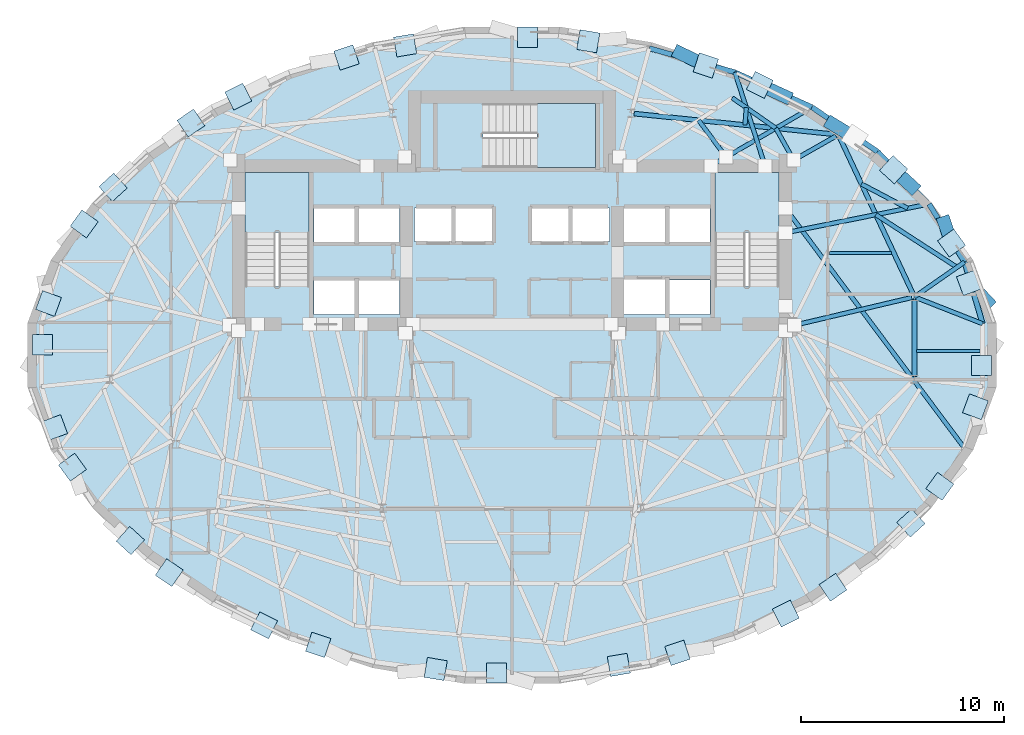
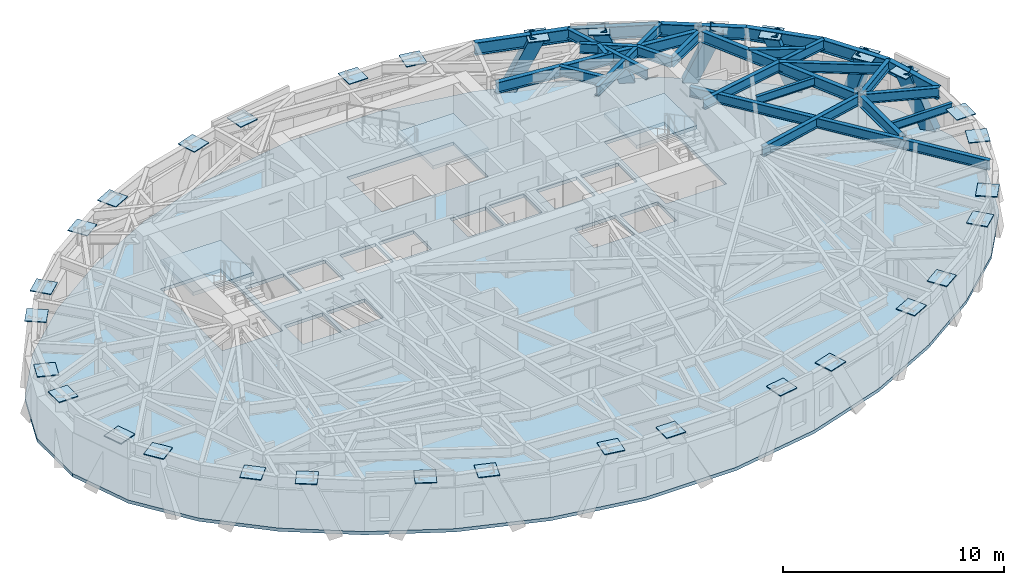
# One storey, part 4 of 12: 31 plates, 25 beams, 6 members, 4 slabs, 3 elements without a shape of their own.
"""IFC4 building model written with IfcOpenShell, lengths in metres."""

from ifc_helpers import new_model, si_unit, direction, frame, origin, origin_2d, place, context, subcontext, project, spatial, polyline, rectangle, hollow_rectangle, i_section, outline, extrude, material, layer, layer_set, material_profile, profile_set, type_object, element, aggregate, save


model = new_model("IFC4")

# Units and contexts
model_context = context("Model", 3, precision=1e-05, world=origin(), true_north=direction((0.0, 1.0)))
body_context = subcontext(model_context, "Body", "Model", "MODEL_VIEW")
ifc_project = project(units=[si_unit("LENGTHUNIT", "METRE"), si_unit("AREAUNIT", "SQUARE_METRE"), si_unit("VOLUMEUNIT", "CUBIC_METRE"), si_unit("PLANEANGLEUNIT", "RADIAN"), si_unit("MASSUNIT", "GRAM", prefix="KILO")], contexts=[model_context])

# Site, building, storey
site_placement = place(None, origin())
site = spatial("IfcSite", under=ifc_project, at=site_placement, CompositionType="ELEMENT")
building_placement = place(site_placement, origin())
building = spatial("IfcBuilding", under=site, at=building_placement, Name="Keldmark Tower", CompositionType="ELEMENT")
storey_placement = place(building_placement, frame((0.0, 0.0, 198.199951171875)))
storey = spatial("IfcBuildingStorey", under=building, at=storey_placement, Name="L55", CompositionType="ELEMENT", Elevation=198.199951171875)

# Beams
ifc_material_1 = material(Name="Steel ASTM A992 Grade 50", Category="steel")
ifc_material_profile_1 = material_profile(ifc_material_1, i_section(OverallWidth=0.153076171875, OverallDepth=0.455078125, WebThickness=0.008056640625, FlangeThickness=0.01318359375, at=origin_2d()), Name="W18X40")
ifc_profile_set_1 = profile_set([ifc_material_profile_1], Name="Steel ASTM A992 Grade 50")
beam_type_1 = type_object("IfcBeamType", Name="Composite Floor Joist W18X40", PredefinedType="JOIST", material=ifc_profile_set_1)
beam_1_placement = place(storey_placement, frame((19.933837890625, 0.199951171875, 2.732666015625), z_axis=(1.0, 0.0, 0.0), x_axis=(0.0, 1.0, 0.0)))
element("IfcBeam", 1, at=beam_1_placement, inside=storey, type_object=beam_type_1, Name="L55 Composite Floor Joist J08", PredefinedType="JOIST", context=body_context, shape_type="SweptSolid", body=[
    extrude(i_section(OverallWidth=0.153076171875, OverallDepth=0.455078125, WebThickness=0.008056640625, FlangeThickness=0.01318359375, at=origin_2d()), origin(), (0.0, 0.0, 1.0), 3.135009765625),
])
beam_2_placement = place(storey_placement, frame((15.6494140625, 5.0400390625, 2.732666015625), z_axis=(1.0, 0.0, 0.0), x_axis=(0.0, 1.0, 0.0)))
element("IfcBeam", 2, at=beam_2_placement, inside=storey, type_object=beam_type_1, Name="L55 Composite Floor Joist J10", PredefinedType="JOIST", context=body_context, shape_type="SweptSolid", body=[
    extrude(i_section(OverallWidth=0.153076171875, OverallDepth=0.455078125, WebThickness=0.008056640625, FlangeThickness=0.01318359375, at=origin_2d()), origin(), (0.0, 0.0, 1.0), 3.044189453125),
])

# Members
ifc_material_2 = material(Name="Steel ASTM A572 Grade 50", Category="steel")
ifc_material_profile_2 = material_profile(ifc_material_2, hollow_rectangle(XDim=0.64990234375, YDim=0.64990234375, WallThickness=0.0400390625, at=origin_2d()), Name="BOX650X650X40")
ifc_profile_set_2 = profile_set([ifc_material_profile_2], Name="Steel ASTM A572 Grade 50")
member_type = type_object("IfcMemberType", Name="Diagrid Zone 3 Brace BOX650X650X40", PredefinedType="BRACE", material=ifc_profile_set_2)
member_1_placement = place(storey_placement, frame((23.425048828125, 2.6142578125, -0.260009765625), z_axis=(-0.264919918302, 0.283573183783, 0.921630992494), x_axis=(-0.730731768361, -0.682664692736, 0.0)))
element("IfcMember", 3, at=member_1_placement, inside=storey, type_object=member_type, Name="L55 Perimeter Diagrid Brace 01A", PredefinedType="BRACE", context=body_context, shape_type="SweptSolid", body=[
    extrude(hollow_rectangle(XDim=0.64990234375, YDim=0.64990234375, WallThickness=0.0400390625, at=origin_2d()), origin(), (0.0, 0.0, 1.0), 3.36376953125),
])
member_2_placement = place(storey_placement, frame((21.306396484375, 6.537109375, -0.260009765625), z_axis=(0.106794323637, -0.309145380062, 0.944999527209), x_axis=(0.945191482252, 0.32651655682, 0.0)))
element("IfcMember", 4, at=member_2_placement, inside=storey, type_object=member_type, Name="L55 Perimeter Diagrid Brace 01B", PredefinedType="BRACE", context=body_context, shape_type="SweptSolid", body=[
    extrude(hollow_rectangle(XDim=0.64990234375, YDim=0.64990234375, WallThickness=0.0400390625, at=origin_2d()), origin(), (0.0, 0.0, 1.0), 3.280517578125),
])
member_3_placement = place(storey_placement, frame((19.718994140625, 8.29736328125, -0.260009765625), z_axis=(-0.273935232909, 0.251344897449, 0.928323882434), x_axis=(-0.67607183927, -0.736835713131, 0.0)))
element("IfcMember", 5, at=member_3_placement, inside=storey, type_object=member_type, Name="L55 Perimeter Diagrid Brace 02A", PredefinedType="BRACE", context=body_context, shape_type="SweptSolid", body=[
    extrude(hollow_rectangle(XDim=0.64990234375, YDim=0.64990234375, WallThickness=0.0400390625, at=origin_2d()), origin(), (0.0, 0.0, 1.0), 3.33935546875),
])
member_4_placement = place(storey_placement, frame((15.75732421875, 11.40380859375, -0.260009765625), z_axis=(0.335469878195, -0.204236842943, 0.919645188542), x_axis=(0.520017145547, 0.854155822047, 0.0)))
element("IfcMember", 6, at=member_4_placement, inside=storey, type_object=member_type, Name="L55 Perimeter Diagrid Brace 02B", PredefinedType="BRACE", context=body_context, shape_type="SweptSolid", body=[
    extrude(hollow_rectangle(XDim=0.64990234375, YDim=0.64990234375, WallThickness=0.0400390625, at=origin_2d()), origin(), (0.0, 0.0, 1.0), 3.370849609375),
])
member_5_placement = place(storey_placement, frame((13.467529296875, 12.740478515625, -0.260009765625), z_axis=(-0.370117613048, 0.169124685768, 0.913460340231), x_axis=(-0.41561353109, -0.909541308999, 0.0)))
element("IfcMember", 7, at=member_5_placement, inside=storey, type_object=member_type, Name="L55 Perimeter Diagrid Brace 03A", PredefinedType="BRACE", context=body_context, shape_type="SweptSolid", body=[
    extrude(hollow_rectangle(XDim=0.64990234375, YDim=0.64990234375, WallThickness=0.0400390625, at=origin_2d()), origin(), (0.0, 0.0, 1.0), 3.393798828125),
])
member_6_placement = place(storey_placement, frame((8.252685546875, 14.892578125, -0.260009765625), z_axis=(0.379356211137, -0.180315697192, 0.907510393559), x_axis=(0.429292808438, 0.903165369477, 0.0)))
element("IfcMember", 8, at=member_6_placement, inside=storey, type_object=member_type, Name="L55 Perimeter Diagrid Brace 03B", PredefinedType="BRACE", context=body_context, shape_type="SweptSolid", body=[
    extrude(hollow_rectangle(XDim=0.64990234375, YDim=0.64990234375, WallThickness=0.0400390625, at=origin_2d()), origin(), (0.0, 0.0, 1.0), 3.416015625),
])

# Beams
ifc_material_3 = material(Name="Steel ASTM A992 Grade 50", Category="steel")
ifc_material_profile_3 = material_profile(ifc_material_3, i_section(OverallWidth=0.22900390625, OverallDepth=0.612060546875, WebThickness=0.011962890625, FlangeThickness=0.01953125, at=origin_2d()), Name="W24X84")
ifc_profile_set_3 = profile_set([ifc_material_profile_3], Name="Steel ASTM A992 Grade 50")
beam_type_2 = type_object("IfcBeamType", Name="Primary Floor Girder W24X84", PredefinedType="BEAM", material=ifc_profile_set_3)
beam_3_placement = place(storey_placement, frame((19.76904296875, 2.99609375, 2.654052734375), z_axis=(-0.424526823774, 0.905415360979, 0.0), x_axis=(-0.905415360979, -0.424526823774, 0.0)))
element("IfcBeam", 9, at=beam_3_placement, inside=storey, type_object=beam_type_2, Name="L55 Floor Ring Girder FG-R01", PredefinedType="BEAM", context=body_context, shape_type="SweptSolid", body=[
    extrude(i_section(OverallWidth=0.22900390625, OverallDepth=0.612060546875, WebThickness=0.011962890625, FlangeThickness=0.01953125, at=origin_2d()), origin(), (0.0, 0.0, 1.0), 8.54638671875),
])
beam_4_placement = place(storey_placement, frame((15.942138671875, 10.87548828125, 2.654052734375), z_axis=(-0.994702930931, 0.102791435423, 0.0), x_axis=(-0.102791435423, -0.994702930931, 0.0)))
element("IfcBeam", 10, at=beam_4_placement, inside=storey, type_object=beam_type_2, Name="L55 Floor Ring Girder FG-R02", PredefinedType="BEAM", context=body_context, shape_type="SweptSolid", body=[
    extrude(i_section(OverallWidth=0.22900390625, OverallDepth=0.612060546875, WebThickness=0.011962890625, FlangeThickness=0.01953125, at=origin_2d()), origin(), (0.0, 0.0, 1.0), 9.975341796875),
])
beam_5_placement = place(storey_placement, frame((19.828369140625, -1.04931640625, 2.654052734375), z_axis=(0.0, 1.0, 0.0), x_axis=(-1.0, 0.0, 0.0)))
element("IfcBeam", 11, at=beam_5_placement, inside=storey, type_object=beam_type_2, Name="L55 Floor Ring Girder FG-R12", PredefinedType="BEAM", context=body_context, shape_type="SweptSolid", body=[
    extrude(i_section(OverallWidth=0.22900390625, OverallDepth=0.612060546875, WebThickness=0.011962890625, FlangeThickness=0.01953125, at=origin_2d()), origin(), (0.0, 0.0, 1.0), 3.778564453125),
])
ifc_material_4 = material(Name="Steel ASTM A992 Grade 50", Category="steel")
ifc_material_profile_4 = material_profile(ifc_material_4, i_section(OverallWidth=0.2099609375, OverallDepth=0.537109375, WebThickness=0.010986328125, FlangeThickness=0.017333984375, at=origin_2d()), Name="W21X68")
ifc_profile_set_4 = profile_set([ifc_material_profile_4], Name="Steel ASTM A992 Grade 50")
beam_type_3 = type_object("IfcBeamType", Name="Radial Tie Girder W21X68", PredefinedType="BEAM", material=ifc_profile_set_4)
beam_6_placement = place(storey_placement, frame((19.692138671875, 2.837158203125, 2.691650390625), z_axis=(-0.973280062348, -0.229621253887, 0.0), x_axis=(0.229621253887, -0.973280062348, 0.0)))
element("IfcBeam", 12, at=beam_6_placement, inside=storey, type_object=beam_type_3, Name="L55 Floor Radial Girder FG-C01", PredefinedType="BEAM", context=body_context, shape_type="SweptSolid", body=[
    extrude(i_section(OverallWidth=0.2099609375, OverallDepth=0.537109375, WebThickness=0.010986328125, FlangeThickness=0.017333984375, at=origin_2d()), origin(), (0.0, 0.0, 1.0), 5.939208984375),
])
beam_7_placement = place(storey_placement, frame((15.959716796875, 10.791748046875, 2.691650390625), z_axis=(-0.86929527307, -0.494293160197, 0.0), x_axis=(0.494293160197, -0.86929527307, 0.0)))
element("IfcBeam", 13, at=beam_7_placement, inside=storey, type_object=beam_type_3, Name="L55 Floor Radial Girder FG-C02", PredefinedType="BEAM", context=body_context, shape_type="SweptSolid", body=[
    extrude(i_section(OverallWidth=0.2099609375, OverallDepth=0.537109375, WebThickness=0.010986328125, FlangeThickness=0.017333984375, at=origin_2d()), origin(), (0.0, 0.0, 1.0), 2.39453125),
])
beam_8_placement = place(storey_placement, frame((19.828369140625, 2.869140625, 2.691650390625), z_axis=(0.930675840423, -0.365844885236, 0.0), x_axis=(0.365844885236, 0.930675840423, 0.0)))
element("IfcBeam", 14, at=beam_8_placement, inside=storey, type_object=beam_type_3, Name="L55 Perimeter Column Bracket RT-01", PredefinedType="BEAM", context=body_context, shape_type="SweptSolid", body=[
    extrude(i_section(OverallWidth=0.2099609375, OverallDepth=0.537109375, WebThickness=0.010986328125, FlangeThickness=0.017333984375, at=origin_2d()), origin(), (0.0, 0.0, 1.0), 3.609619140625),
])
beam_9_placement = place(storey_placement, frame((19.828369140625, 2.869140625, 2.691650390625), z_axis=(0.82086879222, 0.57111682339, 0.0), x_axis=(-0.57111682339, 0.82086879222, 0.0)))
element("IfcBeam", 15, at=beam_9_placement, inside=storey, type_object=beam_type_3, Name="L55 Perimeter Column Bracket RT-02", PredefinedType="BEAM", context=body_context, shape_type="SweptSolid", body=[
    extrude(i_section(OverallWidth=0.2099609375, OverallDepth=0.537109375, WebThickness=0.010986328125, FlangeThickness=0.017333984375, at=origin_2d()), origin(), (0.0, 0.0, 1.0), 3.0068359375),
])
beam_10_placement = place(storey_placement, frame((21.926513671875, 4.328857421875, 2.691650390625), z_axis=(-0.838982778988, 0.544157970227, 0.0), x_axis=(-0.544157970227, -0.838982778988, 0.0)))
element("IfcBeam", 16, at=beam_10_placement, inside=storey, type_object=beam_type_3, Name="L55 Framing Pin Header PH-009", PredefinedType="BEAM", context=body_context, shape_type="SweptSolid", body=[
    extrude(i_section(OverallWidth=0.2099609375, OverallDepth=0.537109375, WebThickness=0.010986328125, FlangeThickness=0.017333984375, at=origin_2d()), origin(), (0.0, 0.0, 1.0), 4.765625),
])
beam_11_placement = place(storey_placement, frame((13.47509765625, 6.028564453125, 2.691650390625), z_axis=(0.980455532133, 0.196740818107, 0.0), x_axis=(-0.196740818107, 0.980455532133, 0.0)))
element("IfcBeam", 17, at=beam_11_placement, inside=storey, type_object=beam_type_3, Name="L55 Perimeter Radial Tie Girder RT-03", PredefinedType="BEAM", context=body_context, shape_type="SweptSolid", body=[
    extrude(i_section(OverallWidth=0.2099609375, OverallDepth=0.537109375, WebThickness=0.010986328125, FlangeThickness=0.017333984375, at=origin_2d()), origin(), (0.0, 0.0, 1.0), 7.21484375),
])
beam_12_placement = place(storey_placement, frame((19.48779296875, 7.235107421875, 2.691650390625), z_axis=(-0.884634857426, 0.466284429321, 0.0), x_axis=(-0.466284429321, -0.884634857426, 0.0)))
element("IfcBeam", 18, at=beam_12_placement, inside=storey, type_object=beam_type_3, Name="L55 Framing Pin Header PH-010", PredefinedType="BEAM", context=body_context, shape_type="SweptSolid", body=[
    extrude(i_section(OverallWidth=0.2099609375, OverallDepth=0.537109375, WebThickness=0.010986328125, FlangeThickness=0.017333984375, at=origin_2d()), origin(), (0.0, 0.0, 1.0), 2.56201171875),
])
beam_13_placement = place(storey_placement, frame((13.878173828125, 9.608154296875, 2.691650390625), z_axis=(-0.488070572171, 0.872804168517, 0.0), x_axis=(-0.872804168517, -0.488070572171, 0.0)))
element("IfcBeam", 19, at=beam_13_placement, inside=storey, type_object=beam_type_3, Name="L55 Framing Pin Header PH-011", PredefinedType="BEAM", context=body_context, shape_type="SweptSolid", body=[
    extrude(i_section(OverallWidth=0.2099609375, OverallDepth=0.537109375, WebThickness=0.010986328125, FlangeThickness=0.017333984375, at=origin_2d()), origin(), (0.0, 0.0, 1.0), 1.80029296875),
])
beam_14_placement = place(storey_placement, frame((9.8037109375, 9.324951171875, 2.691650390625), z_axis=(0.864913705809, 0.501920592826, 0.0), x_axis=(-0.501920592826, 0.864913705809, 0.0)))
element("IfcBeam", 20, at=beam_14_placement, inside=storey, type_object=beam_type_3, Name="L55 Perimeter Radial Tie Girder RT-05", PredefinedType="BEAM", context=body_context, shape_type="SweptSolid", body=[
    extrude(i_section(OverallWidth=0.2099609375, OverallDepth=0.537109375, WebThickness=0.010986328125, FlangeThickness=0.017333984375, at=origin_2d()), origin(), (0.0, 0.0, 1.0), 5.755126953125),
])
beam_15_placement = place(storey_placement, frame((10.55029296875, 9.75830078125, 2.691650390625), z_axis=(-0.598775240307, 0.800917106569, 0.0), x_axis=(-0.800917106569, -0.598775240307, 0.0)))
element("IfcBeam", 21, at=beam_15_placement, inside=storey, type_object=beam_type_3, Name="L55 Framing Pin Header PH-012", PredefinedType="BEAM", context=body_context, shape_type="SweptSolid", body=[
    extrude(i_section(OverallWidth=0.2099609375, OverallDepth=0.537109375, WebThickness=0.010986328125, FlangeThickness=0.017333984375, at=origin_2d()), origin(), (0.0, 0.0, 1.0), 2.265869140625),
])
beam_16_placement = place(storey_placement, frame((12.99951171875, 11.179443359375, 2.691650390625), z_axis=(-0.820532151403, 0.571600374837, 0.0), x_axis=(-0.571600374837, -0.820532151403, 0.0)))
element("IfcBeam", 22, at=beam_16_placement, inside=storey, type_object=beam_type_3, Name="L55 Local Collector Chord RT-06C", PredefinedType="BEAM", context=body_context, shape_type="SweptSolid", body=[
    extrude(i_section(OverallWidth=0.2099609375, OverallDepth=0.537109375, WebThickness=0.010986328125, FlangeThickness=0.017333984375, at=origin_2d()), origin(), (0.0, 0.0, 1.0), 2.61572265625),
])
beam_17_placement = place(storey_placement, frame((11.47705078125, 11.3369140625, 2.691650390625), z_axis=(0.078152477157, 0.996941417694, 0.0), x_axis=(-0.996941417694, 0.078152477157, 0.0)))
element("IfcBeam", 23, at=beam_17_placement, inside=storey, type_object=beam_type_3, Name="L55 Framing Pin Header PH-013", PredefinedType="BEAM", context=body_context, shape_type="SweptSolid", body=[
    extrude(i_section(OverallWidth=0.2099609375, OverallDepth=0.537109375, WebThickness=0.010986328125, FlangeThickness=0.017333984375, at=origin_2d()), origin(), (0.0, 0.0, 1.0), 0.859130859375),
])
beam_18_placement = place(storey_placement, frame((12.468017578125, 9.324951171875, 2.691650390625), z_axis=(-0.306577044179, 0.951845846754, 0.0), x_axis=(-0.951845846754, -0.306577044179, 0.0)))
element("IfcBeam", 24, at=beam_18_placement, inside=storey, type_object=beam_type_3, Name="L55 Perimeter Radial Tie Girder RT-06", PredefinedType="BEAM", context=body_context, shape_type="SweptSolid", body=[
    extrude(i_section(OverallWidth=0.2099609375, OverallDepth=0.537109375, WebThickness=0.010986328125, FlangeThickness=0.017333984375, at=origin_2d()), origin(), (0.0, 0.0, 1.0), 4.842529296875),
])
beam_19_placement = place(storey_placement, frame((13.47509765625, 7.235595703125, 2.691650390625), z_axis=(0.598046490454, -0.801461412206, 0.0), x_axis=(0.801461412206, 0.598046490454, 0.0)))
element("IfcBeam", 25, at=beam_19_placement, inside=storey, type_object=beam_type_3, Name="L55 Perimeter Radial Tie Girder RT-31", PredefinedType="BEAM", context=body_context, shape_type="SweptSolid", body=[
    extrude(i_section(OverallWidth=0.2099609375, OverallDepth=0.537109375, WebThickness=0.010986328125, FlangeThickness=0.017333984375, at=origin_2d()), origin(), (0.0, 0.0, 1.0), 14.75048828125),
])
ifc_material_5 = material(Name="Steel ASTM A992 Grade 50", Category="steel")
ifc_material_profile_5 = material_profile(ifc_material_5, i_section(OverallWidth=0.256103515625, OverallDepth=0.693115234375, WebThickness=0.014404296875, FlangeThickness=0.023681640625, at=origin_2d()), Name="W27X114")
ifc_profile_set_5 = profile_set([ifc_material_profile_5], Name="Steel ASTM A992 Grade 50")
beam_type_4 = type_object("IfcBeamType", Name="Spandrel Ring Beam W27X114", PredefinedType="SPANDREL", material=ifc_profile_set_5)
beam_20_placement = place(storey_placement, frame((23.187744140625, 1.548583984375, 2.613525390625), z_axis=(-0.281477355005, 0.959567870773, 0.0), x_axis=(-0.959567870773, -0.281477355005, 0.0)))
element("IfcBeam", 26, at=beam_20_placement, inside=storey, type_object=beam_type_4, Name="L55 Perimeter Spandrel Ring Beam SRB-01", PredefinedType="SPANDREL", context=body_context, shape_type="SweptSolid", body=[
    extrude(i_section(OverallWidth=0.256103515625, OverallDepth=0.693115234375, WebThickness=0.014404296875, FlangeThickness=0.023681640625, at=origin_2d()), origin(), (0.0, 0.0, 1.0), 3.165771484375),
])
beam_21_placement = place(storey_placement, frame((22.296630859375, 4.58642578125, 2.613525390625), z_axis=(-0.521246781142, 0.853405995497, 0.0), x_axis=(-0.853405995497, -0.521246781142, 0.0)))
element("IfcBeam", 27, at=beam_21_placement, inside=storey, type_object=beam_type_4, Name="L55 Perimeter Spandrel Ring Beam SRB-02", PredefinedType="SPANDREL", context=body_context, shape_type="SweptSolid", body=[
    extrude(i_section(OverallWidth=0.256103515625, OverallDepth=0.693115234375, WebThickness=0.014404296875, FlangeThickness=0.023681640625, at=origin_2d()), origin(), (0.0, 0.0, 1.0), 3.35302734375),
])
beam_22_placement = place(storey_placement, frame((20.548828125, 7.447998046875, 2.613525390625), z_axis=(-0.701888492814, 0.712286840855, 0.0), x_axis=(-0.712286840855, -0.701888492814, 0.0)))
element("IfcBeam", 28, at=beam_22_placement, inside=storey, type_object=beam_type_4, Name="L55 Perimeter Spandrel Ring Beam SRB-03", PredefinedType="SPANDREL", context=body_context, shape_type="SweptSolid", body=[
    extrude(i_section(OverallWidth=0.256103515625, OverallDepth=0.693115234375, WebThickness=0.014404296875, FlangeThickness=0.023681640625, at=origin_2d()), origin(), (0.0, 0.0, 1.0), 3.61572265625),
])
beam_23_placement = place(storey_placement, frame((18.010986328125, 10.0234375, 2.613525390625), z_axis=(-0.827625248145, 0.5612810781, 0.0), x_axis=(-0.5612810781, -0.827625248145, 0.0)))
element("IfcBeam", 29, at=beam_23_placement, inside=storey, type_object=beam_type_4, Name="L55 Perimeter Spandrel Ring Beam SRB-04", PredefinedType="SPANDREL", context=body_context, shape_type="SweptSolid", body=[
    extrude(i_section(OverallWidth=0.256103515625, OverallDepth=0.693115234375, WebThickness=0.014404296875, FlangeThickness=0.023681640625, at=origin_2d()), origin(), (0.0, 0.0, 1.0), 3.902099609375),
])
beam_24_placement = place(storey_placement, frame((14.781494140625, 12.213623046875, 2.613525390625), z_axis=(-0.910881102331, 0.412668895624, 0.0), x_axis=(-0.412668895624, -0.910881102331, 0.0)))
element("IfcBeam", 30, at=beam_24_placement, inside=storey, type_object=beam_type_4, Name="L55 Perimeter Spandrel Ring Beam SRB-05", PredefinedType="SPANDREL", context=body_context, shape_type="SweptSolid", body=[
    extrude(i_section(OverallWidth=0.256103515625, OverallDepth=0.693115234375, WebThickness=0.014404296875, FlangeThickness=0.023681640625, at=origin_2d()), origin(), (0.0, 0.0, 1.0), 4.169677734375),
])
beam_25_placement = place(storey_placement, frame((10.9833984375, 13.934326171875, 2.613525390625), z_axis=(-0.962739808547, 0.270429401209, 0.0), x_axis=(-0.270429401209, -0.962739808547, 0.0)))
element("IfcBeam", 31, at=beam_25_placement, inside=storey, type_object=beam_type_4, Name="L55 Perimeter Spandrel Ring Beam SRB-06", PredefinedType="SPANDREL", context=body_context, shape_type="SweptSolid", body=[
    extrude(i_section(OverallWidth=0.256103515625, OverallDepth=0.693115234375, WebThickness=0.014404296875, FlangeThickness=0.023681640625, at=origin_2d()), origin(), (0.0, 0.0, 1.0), 4.383056640625),
])

# Plates
ifc_material_6 = material(Name="Steel ASTM A572 Grade 50", Category="steel")
ifc_layer_1 = layer(ifc_material_6, 0.044921875)
ifc_layer_set_1 = layer_set([ifc_layer_1], Name="Steel ASTM A572 Grade 50")
plate_type = type_object("IfcPlateType", Name="Diagrid Node Assembly DN04 45 mm", PredefinedType="USERDEFINED", material=ifc_layer_set_1)
for number, where, z_axis, x_axis, name in (
    (32, (22.533935546875, 3.568115234375, 2.817626953125), (0.0, 0.0, 1.0), (-0.346771953791, 0.937949472021, 0.0), "L55 Diagrid Node Assembly 01"),
    (33, (21.65673828125, 5.52294921875, 2.817626953125), (0.0, 0.0, 1.0), (-0.586372356736, 0.810041640446, 0.0), "L55 Diagrid Node Assembly 02"),
    (34, (18.80419921875, 9.13671875, 2.817626953125), (0.0, 0.0, 1.0), (-0.739043499209, 0.673657707057, 0.0), "L55 Diagrid Node Assembly 03"),
    (35, (12.21142578125, 13.314453125, 2.817626953125), (0.0, 0.0, 1.0), (-0.892900372813, 0.450254288408, 0.0), "L55 Diagrid Node Assembly 05"),
    (36, (9.548583984375, 14.276611328125, 2.817626953125), (0.0, 0.0, 1.0), (-0.948876011644, 0.315649036947, 0.0), "L55 Diagrid Node Assembly 06"),
    (37, (3.759765625, 15.465087890625, 2.817626953125), (0.0, 0.0, 1.0), (-0.985850128464, 0.167629126969, 0.0), "L55 Diagrid Node Assembly 07"),
    (38, (0.75537109375, 15.664306640625, 2.817626953125), (0.0, 0.0, 1.0), (-1.0, 0.0, 0.0), "L55 Diagrid Node Assembly 08"),
    (39, (-5.264404296875, 15.261474609375, 2.817626953125), (0.0, 0.0, 1.0), (-0.985850128464, -0.167629126969, 0.0), "L55 Diagrid Node Assembly 09"),
    (40, (-8.15283203125, 14.667236328125, 2.817626953125), (0.0, 0.0, 1.0), (-0.948876011644, -0.315649036947, 0.0), "L55 Diagrid Node Assembly 10"),
    (41, (-13.487060546875, 12.734375, 2.817626953125), (0.0, 0.0, 1.0), (-0.892900372813, -0.450254288408, 0.0), "L55 Diagrid Node Assembly 11"),
    (42, (-15.81982421875, 11.43701171875, 2.817626953125), (0.0, 0.0, 1.0), (-0.827668733006, -0.561216953062, 0.0), "L55 Diagrid Node Assembly 12"),
    (43, (-19.656494140625, 8.268310546875, 2.817626953125), (0.0, 0.0, 1.0), (-0.739043499209, -0.673657707057, 0.0), "L55 Diagrid Node Assembly 13"),
    (44, (-21.07861328125, 6.4658203125, 2.817626953125), (0.0, 0.0, 1.0), (-0.586372356736, -0.810041640446, 0.0), "L55 Diagrid Node Assembly 14"),
    (45, (-22.83349609375, 2.5439453125, 2.817626953125), (0.0, 0.0, 1.0), (-0.346771953791, -0.937949472021, 0.0), "L55 Diagrid Node Assembly 15"),
    (46, (-23.128173828125, 0.51025390625, 2.817626953125), (0.0, 0.0, 1.0), (0.0, -1.0, 0.0), "L55 Diagrid Node Assembly 16"),
    (47, (-22.533935546875, -3.568115234375, 2.817626953125), (0.0, 0.0, 1.0), (0.346771953791, -0.937949472021, 0.0), "L55 Diagrid Node Assembly 17"),
    (48, (-21.65673828125, -5.52294921875, 2.817626953125), (0.0, 0.0, 1.0), (0.586372356736, -0.810041640446, 0.0), "L55 Diagrid Node Assembly 18"),
    (49, (-18.80419921875, -9.13671875, 2.817626953125), (0.0, 0.0, 1.0), (0.739043499209, -0.673657707057, 0.0), "L55 Diagrid Node Assembly 19"),
    (50, (-16.88818359375, -10.71533203125, 2.817626953125), (0.0, 0.0, 1.0), (0.827668733006, -0.561216953062, 0.0), "L55 Diagrid Node Assembly 20"),
    (51, (-12.21142578125, -13.314453125, 2.817626953125), (0.0, 0.0, 1.0), (0.892900372813, -0.450254288408, 0.0), "L55 Diagrid Node Assembly 21"),
    (52, (-9.548583984375, -14.276611328125, 2.817626953125), (0.0, 0.0, 1.0), (0.948876011644, -0.315649036947, 0.0), "L55 Diagrid Node Assembly 22"),
    (53, (-3.759765625, -15.465087890625, 2.817626953125), (0.0, 0.0, 1.0), (0.985850128464, -0.167629126969, 0.0), "L55 Diagrid Node Assembly 23"),
    (54, (-0.75537109375, -15.664306640625, 2.817626953125), (0.0, 0.0, 1.0), (1.0, 0.0, 0.0), "L55 Diagrid Node Assembly 24"),
    (55, (5.264404296875, -15.261474609375, 2.817626953125), (0.0, 0.0, 1.0), (0.985850128464, 0.167629126969, 0.0), "L55 Diagrid Node Assembly 25"),
    (56, (8.15283203125, -14.667236328125, 2.817626953125), (0.0, 0.0, 1.0), (0.948876011644, 0.315649036947, 0.0), "L55 Diagrid Node Assembly 26"),
    (57, (13.487060546875, -12.734375, 2.817626953125), (0.0, 0.0, 1.0), (0.892900372813, 0.450254288408, 0.0), "L55 Diagrid Node Assembly 27"),
    (58, (15.81982421875, -11.43701171875, 2.817626953125), (0.0, 0.0, 1.0), (0.827668733006, 0.561216953062, 0.0), "L55 Diagrid Node Assembly 28"),
    (59, (19.656494140625, -8.268310546875, 2.817626953125), (0.0, 0.0, 1.0), (0.739043499209, 0.673657707057, 0.0), "L55 Diagrid Node Assembly 29"),
    (60, (21.07861328125, -6.4658203125, 2.817626953125), (0.0, 0.0, 1.0), (0.586372356736, 0.810041640446, 0.0), "L55 Diagrid Node Assembly 30"),
    (61, (22.83349609375, -2.5439453125, 2.817626953125), (0.0, 0.0, 1.0), (0.346771953791, 0.937949472021, 0.0), "L55 Diagrid Node Assembly 31"),
    (62, (23.128173828125, -0.51025390625, 2.817626953125), (0.0, 0.0, 1.0), (0.0, 1.0, 0.0), "L55 Diagrid Node Assembly 32"),
):
    element("IfcPlate", number, at=place(storey_placement, frame(where, z_axis=z_axis, x_axis=x_axis)), inside=storey, type_object=plate_type, Name=name, ObjectType="GUSSET", PredefinedType="USERDEFINED", context=body_context, shape_type="SweptSolid", body=[
        extrude(rectangle(XDim=0.989990234375, YDim=0.989990234375, at=origin_2d()), origin(), (0.0, 0.0, 1.0), 0.044921875),
    ])

# Slab
ifc_material_7 = material(Name="Concrete C35/45", Category="concrete")
ifc_layer_2 = layer(ifc_material_7, 0.179931640625)
ifc_layer_set_2 = layer_set([ifc_layer_2], Name="Concrete C35/45")
slab_type_1 = type_object("IfcSlabType", Name="Hotel and Residential Slab 180 mm", PredefinedType="FLOOR", material=ifc_layer_set_2)
slab_1_placement = place(storey_placement, frame((0.0, 0.0, -0.179931640625)))
element("IfcSlab", 63, at=slab_1_placement, inside=storey, type_object=slab_type_1, Name="L55 Composite Structural Floor Slab", PredefinedType="FLOOR", context=body_context, shape_type="SweptSolid", body=[
    extrude(outline(polyline([(23.8642578125, 1.593505859375), (22.725341796875, 4.673583984375), (20.682861328125, 7.4951171875), (17.949462890625, 9.987060546875), (14.730712890625, 12.169189453125), (11.05517578125, 14.022216796875), (6.893798828125, 15.406982421875), (2.350341796875, 16.17919921875), (-2.350341796875, 16.17919921875), (-6.893798828125, 15.406982421875), (-11.05517578125, 14.022216796875), (-14.730712890625, 12.169189453125), (-17.949462890625, 9.987060546875), (-20.682861328125, 7.4951171875), (-22.725341796875, 4.673583984375), (-23.8642578125, 1.593505859375), (-23.8642578125, -1.593505859375), (-22.725341796875, -4.673583984375), (-20.682861328125, -7.4951171875), (-17.949462890625, -9.987060546875), (-14.730712890625, -12.169189453125), (-11.05517578125, -14.022216796875), (-6.893798828125, -15.406982421875), (-2.350341796875, -16.17919921875), (2.350341796875, -16.17919921875), (6.893798828125, -15.406982421875), (11.05517578125, -14.022216796875), (14.730712890625, -12.169189453125), (17.949462890625, -9.987060546875), (20.682861328125, -7.4951171875), (22.725341796875, -4.673583984375), (23.8642578125, -1.593505859375), (23.8642578125, 1.593505859375)]), holes=[polyline([(-10.0, 3.385009765625), (-10.0, 9.0), (-13.14990234375, 9.0), (-13.14990234375, 3.385009765625), (-10.0, 3.385009765625)]), polyline([(13.14990234375, 3.385009765625), (13.14990234375, 9.0), (10.0, 9.0), (10.0, 3.385009765625), (13.14990234375, 3.385009765625)]), polyline([(-1.43994140625, 9.25), (4.10498046875, 9.25), (4.10498046875, 12.39990234375), (-1.43994140625, 12.39990234375), (-1.43994140625, 9.25)]), polyline([(-9.75, 2.0), (-7.75, 2.0), (-7.75, 3.699951171875), (-9.75, 3.699951171875), (-9.75, 2.0)]), polyline([(7.75, 2.0), (9.75, 2.0), (9.75, 3.699951171875), (7.75, 3.699951171875), (7.75, 2.0)]), polyline([(5.449951171875, 2.0), (7.550048828125, 2.0), (7.550048828125, 3.75), (5.449951171875, 3.75), (5.449951171875, 2.0)]), polyline([(-4.800048828125, 5.60009765625), (-2.949951171875, 5.60009765625), (-2.949951171875, 7.25), (-4.800048828125, 7.25), (-4.800048828125, 5.60009765625)]), polyline([(-2.800048828125, 5.60009765625), (-0.949951171875, 5.60009765625), (-0.949951171875, 7.25), (-2.800048828125, 7.25), (-2.800048828125, 5.60009765625)]), polyline([(0.949951171875, 5.60009765625), (2.800048828125, 5.60009765625), (2.800048828125, 7.25), (0.949951171875, 7.25), (0.949951171875, 5.60009765625)]), polyline([(2.949951171875, 5.60009765625), (4.800048828125, 5.60009765625), (4.800048828125, 7.25), (2.949951171875, 7.25), (2.949951171875, 5.60009765625)]), polyline([(-9.75, 5.550048828125), (-7.75, 5.550048828125), (-7.75, 7.25), (-9.75, 7.25), (-9.75, 5.550048828125)]), polyline([(-7.550048828125, 5.550048828125), (-5.550048828125, 5.550048828125), (-5.550048828125, 7.25), (-7.550048828125, 7.25), (-7.550048828125, 5.550048828125)]), polyline([(-7.550048828125, 2.0), (-5.550048828125, 2.0), (-5.550048828125, 3.699951171875), (-7.550048828125, 3.699951171875), (-7.550048828125, 2.0)]), polyline([(5.449951171875, 5.550048828125), (7.550048828125, 5.550048828125), (7.550048828125, 7.25), (5.449951171875, 7.25), (5.449951171875, 5.550048828125)]), polyline([(7.75, 5.550048828125), (9.75, 5.550048828125), (9.75, 7.25), (7.75, 7.25), (7.75, 5.550048828125)])]), origin(), (0.0, 0.0, 1.0), 0.179931640625),
])

# Stair, slab
ifc_material_8 = material(Name="Concrete C40/50", Category="concrete")
stair_type = type_object("IfcStairType", Name="Precast Concrete Core Exit Stair", PredefinedType="HALF_TURN_STAIR", material=ifc_material_8)
stair_1_placement = place(storey_placement, origin())
stair_1 = element("IfcStair", 64, at=stair_1_placement, inside=storey, type_object=stair_type, Name="L55 Exit Stair ST1", PredefinedType="HALF_TURN_STAIR")
ifc_material_9 = material(Name="Concrete C40/50", Category="concrete")
ifc_layer_3 = layer(ifc_material_9, 0.199951171875)
ifc_layer_set_3 = layer_set([ifc_layer_3], Name="Concrete C40/50")
slab_type_2 = type_object("IfcSlabType", Name="Reinforced Concrete Stair Landing 200 mm", PredefinedType="LANDING", material=ifc_layer_set_3)
slab_2_placement = place(storey_placement, frame((0.0, 0.0, 1.400146484375)))
slab_2 = element("IfcSlab", 65, at=slab_2_placement, type_object=slab_type_2, Name="ST1 landing 1", PredefinedType="LANDING", context=body_context, shape_type="SweptSolid", body=[
    extrude(outline(polyline([(-10.0, 6.050048828125), (-10.0, 9.0), (-13.14990234375, 9.0), (-13.14990234375, 6.050048828125), (-10.0, 6.050048828125)])), origin(), (0.0, 0.0, 1.0), 0.199951171875),
])
aggregate(stair_1, [slab_2])

stair_2_placement = place(storey_placement, origin())
stair_2 = element("IfcStair", 66, at=stair_2_placement, inside=storey, type_object=stair_type, Name="L55 Exit Stair ST2", PredefinedType="HALF_TURN_STAIR")
slab_3_placement = place(storey_placement, frame((0.0, 0.0, 1.400146484375)))
slab_3 = element("IfcSlab", 67, at=slab_3_placement, type_object=slab_type_2, Name="ST2 landing 1", PredefinedType="LANDING", context=body_context, shape_type="SweptSolid", body=[
    extrude(outline(polyline([(13.14990234375, 6.050048828125), (13.14990234375, 9.0), (10.0, 9.0), (10.0, 6.050048828125), (13.14990234375, 6.050048828125)])), origin(), (0.0, 0.0, 1.0), 0.199951171875),
])
aggregate(stair_2, [slab_3])

stair_3_placement = place(storey_placement, origin())
stair_3 = element("IfcStair", 68, at=stair_3_placement, inside=storey, type_object=stair_type, Name="L55 Exit Stair ST3", PredefinedType="HALF_TURN_STAIR")
slab_4_placement = place(storey_placement, frame((0.0, 0.0, 1.400146484375)))
slab_4 = element("IfcSlab", 69, at=slab_4_placement, type_object=slab_type_2, Name="ST3 landing 1", PredefinedType="LANDING", context=body_context, shape_type="SweptSolid", body=[
    extrude(outline(polyline([(1.22509765625, 9.25), (4.10498046875, 9.25), (4.10498046875, 12.39990234375), (1.22509765625, 12.39990234375), (1.22509765625, 9.25)])), origin(), (0.0, 0.0, 1.0), 0.199951171875),
])
aggregate(stair_3, [slab_4])

save(model, "model.ifc")
